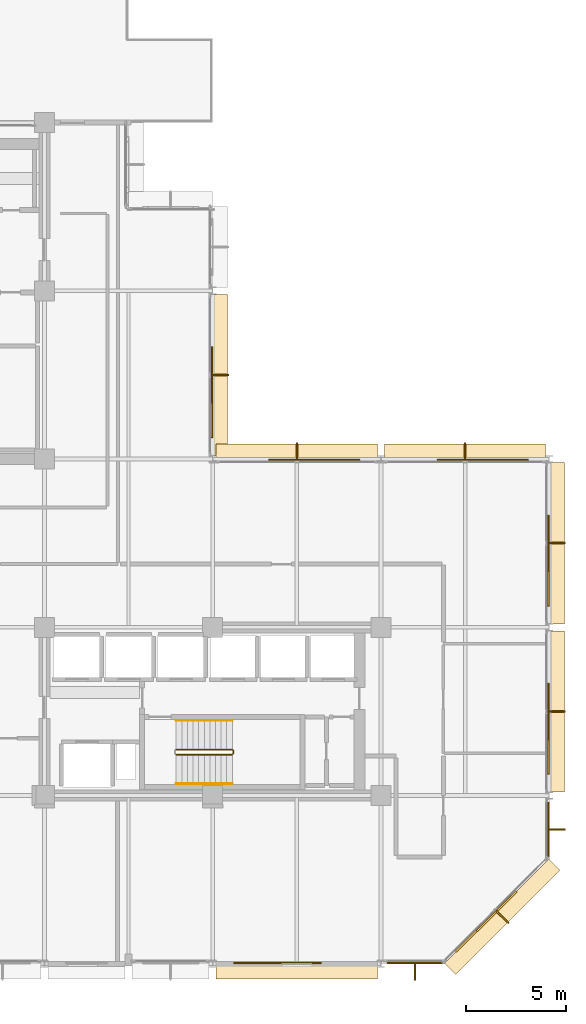
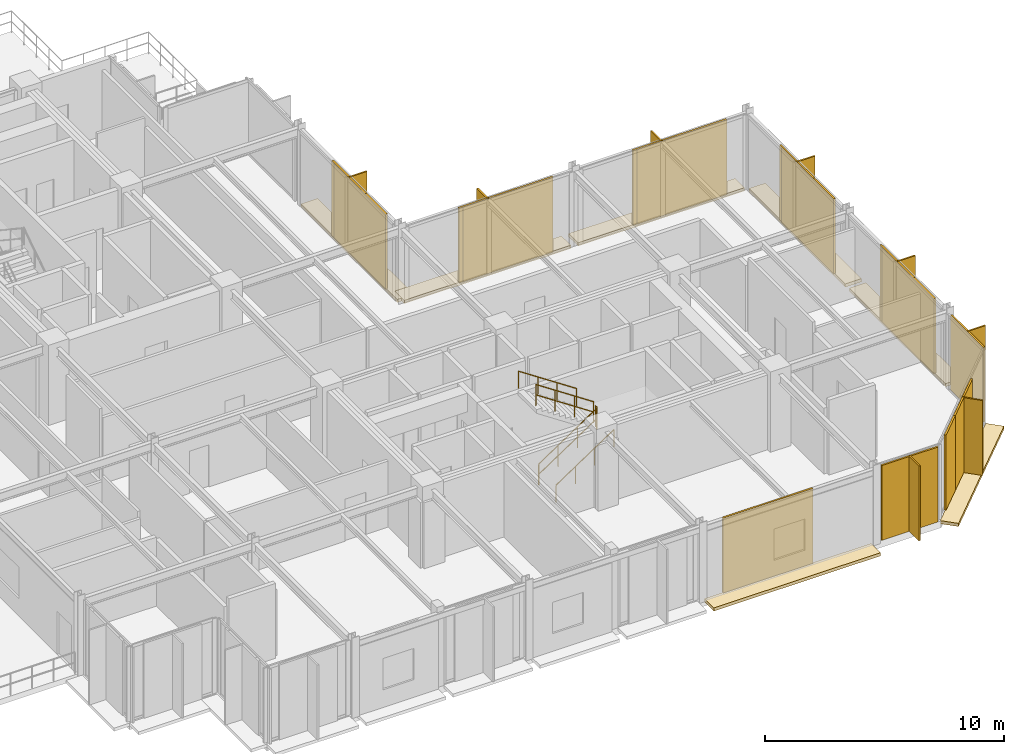
# One storey, part 20 of 21: 16 shading devices, 14 coverings, 5 railings.
"""IFC4 building model written with IfcOpenShell, lengths in metres."""

from ifc_helpers import new_model, si_unit, direction, frame, origin, origin_2d, place, context, subcontext, project, spatial, polyline, rectangle, circle, outline, extrude, material, layer, layer_set, type_object, element, save


model = new_model("IFC4")

# Units and contexts
model_context = context("Model", 3, precision=1e-05, world=origin(), true_north=direction((0.0, 1.0)))
body_context = subcontext(model_context, "Body", "Model", "MODEL_VIEW")
ifc_project = project(units=[si_unit("LENGTHUNIT", "METRE"), si_unit("AREAUNIT", "SQUARE_METRE"), si_unit("VOLUMEUNIT", "CUBIC_METRE"), si_unit("PLANEANGLEUNIT", "RADIAN"), si_unit("MASSUNIT", "GRAM", prefix="KILO")], contexts=[model_context])

# Site, building, storey
site_placement = place(None, origin())
site = spatial("IfcSite", under=ifc_project, at=site_placement, CompositionType="ELEMENT")
building_placement = place(site_placement, origin())
building = spatial("IfcBuilding", under=site, at=building_placement, Name="Nerrivon Quay Data Exchange", CompositionType="ELEMENT")
storey_placement = place(building_placement, frame((0.0, 0.0, 220.60009765625)))
storey = spatial("IfcBuildingStorey", under=building, at=storey_placement, Name="L52", CompositionType="ELEMENT", Elevation=220.60009765625)

# Coverings
ifc_material_1 = material(Name="Architectural terracotta ceramic", Category="masonry")
ifc_layer_1 = layer(ifc_material_1, 0.159912109375)
ifc_layer_set_1 = layer_set([ifc_layer_1], Name="Architectural terracotta ceramic")
covering_type_1 = type_object("IfcCoveringType", Name="COV-BLD-TERR", PredefinedType="CLADDING", material=ifc_layer_set_1)
covering_1_placement = place(storey_placement, frame((0.0, 0.0, -0.16015625)))
element("IfcCovering", 1, at=covering_1_placement, inside=storey, type_object=covering_type_1, Name="L52 Horizontal Terracotta SOLAR SCREEN Blade", PredefinedType="CLADDING", context=body_context, shape_type="SweptSolid", body=[
    extrude(outline(polyline([(41.9716796875, 5.228271484375), (36.771728515625, 0.0283203125), (37.330322265625, -0.5302734375), (42.5302734375, 4.669677734375), (41.9716796875, 5.228271484375)])), origin(), (0.0, 0.0, 1.0), 0.16015625),
])
covering_2_placement = place(storey_placement, frame((0.0, 0.0, -0.16015625)))
element("IfcCovering", 2, at=covering_2_placement, inside=storey, type_object=covering_type_1, Name="L52 Horizontal Terracotta SOLAR SCREEN Blade", PredefinedType="CLADDING", context=body_context, shape_type="SweptSolid", body=[
    extrude(outline(polyline([(33.425048828125, 0.0400390625), (25.375, 0.0400390625), (25.375, -0.75), (33.425048828125, -0.75), (33.425048828125, 0.0400390625)])), origin(), (0.0, 0.0, 1.0), 0.16015625),
])
covering_3_placement = place(storey_placement, frame((0.0, 0.0, -0.16015625)))
element("IfcCovering", 3, at=covering_3_placement, inside=storey, type_object=covering_type_1, Name="L52 Horizontal Terracotta SOLAR SCREEN Blade", PredefinedType="CLADDING", context=body_context, shape_type="SweptSolid", body=[
    extrude(outline(polyline([(25.159912109375, 33.425048828125), (25.159912109375, 25.375), (25.949951171875, 25.375), (25.949951171875, 33.425048828125), (25.159912109375, 33.425048828125)])), origin(), (0.0, 0.0, 1.0), 0.16015625),
])
covering_4_placement = place(storey_placement, frame((0.0, 0.0, -0.16015625)))
element("IfcCovering", 4, at=covering_4_placement, inside=storey, type_object=covering_type_1, Name="L52 Horizontal Terracotta SOLAR SCREEN Blade", PredefinedType="CLADDING", context=body_context, shape_type="SweptSolid", body=[
    extrude(outline(polyline([(25.375, 25.159912109375), (33.425048828125, 25.159912109375), (33.425048828125, 25.949951171875), (25.375, 25.949951171875), (25.375, 25.159912109375)])), origin(), (0.0, 0.0, 1.0), 0.16015625),
])
covering_5_placement = place(storey_placement, frame((0.0, 0.0, -0.16015625)))
element("IfcCovering", 5, at=covering_5_placement, inside=storey, type_object=covering_type_1, Name="L52 Horizontal Terracotta SOLAR SCREEN Blade", PredefinedType="CLADDING", context=body_context, shape_type="SweptSolid", body=[
    extrude(outline(polyline([(33.77490234375, 25.159912109375), (41.824951171875, 25.159912109375), (41.824951171875, 25.949951171875), (33.77490234375, 25.949951171875), (33.77490234375, 25.159912109375)])), origin(), (0.0, 0.0, 1.0), 0.16015625),
])
covering_6_placement = place(storey_placement, frame((0.0, 0.0, -0.16015625)))
element("IfcCovering", 6, at=covering_6_placement, inside=storey, type_object=covering_type_1, Name="L52 Horizontal Terracotta SOLAR SCREEN Blade", PredefinedType="CLADDING", context=body_context, shape_type="SweptSolid", body=[
    extrude(outline(polyline([(41.9599609375, 25.02490234375), (41.9599609375, 16.97509765625), (42.75, 16.97509765625), (42.75, 25.02490234375), (41.9599609375, 25.02490234375)])), origin(), (0.0, 0.0, 1.0), 0.16015625),
])
covering_7_placement = place(storey_placement, frame((0.0, 0.0, -0.16015625)))
element("IfcCovering", 7, at=covering_7_placement, inside=storey, type_object=covering_type_1, Name="L52 Horizontal Terracotta SOLAR SCREEN Blade", PredefinedType="CLADDING", context=body_context, shape_type="SweptSolid", body=[
    extrude(outline(polyline([(41.9599609375, 16.625), (41.9599609375, 8.574951171875), (42.75, 8.574951171875), (42.75, 16.625), (41.9599609375, 16.625)])), origin(), (0.0, 0.0, 1.0), 0.16015625),
])
ifc_layer_2 = layer(ifc_material_1, 0.090087890625)
ifc_layer_set_2 = layer_set([ifc_layer_2], Name="Architectural terracotta ceramic")
covering_type_2 = type_object("IfcCoveringType", Name="COV-SCR-TERR", PredefinedType="CLADDING", material=ifc_layer_set_2)
covering_8_placement = place(storey_placement, frame((38.744140625, 2.0078125, 0.0), z_axis=(0.0, 0.0, 1.0), x_axis=(-0.707106781187, -0.707106781187, 0.0)))
element("IfcCovering", 8, at=covering_8_placement, inside=storey, type_object=covering_type_2, Name="L52 Perforated Terracotta SOLAR SCREEN Cassette", PredefinedType="CLADDING", context=body_context, shape_type="SweptSolid", body=[
    extrude(rectangle(XDim=3.970947265625, YDim=0.090087890625, at=origin_2d()), origin(), (0.0, 0.0, 1.0), 3.824951171875),
])
for number, where, z_axis, x_axis, name in (
    (9, (28.43408203125, 0.044921875, 0.0), (0.0, 0.0, 1.0), (-1.0, 0.0, 0.0), "L52 Perforated Terracotta SOLAR SCREEN Cassette"),
    (10, (25.155029296875, 28.43408203125, 0.0), (0.0, 0.0, 1.0), (0.0, -1.0, 0.0), "L52 Perforated Terracotta SOLAR SCREEN Cassette"),
    (11, (30.365966796875, 25.155029296875, 0.0), (0.0, 0.0, 1.0), (1.0, 0.0, 0.0), "L52 Perforated Terracotta SOLAR SCREEN Cassette"),
    (12, (38.76611328125, 25.155029296875, 0.0), (0.0, 0.0, 1.0), (1.0, 0.0, 0.0), "L52 Perforated Terracotta SOLAR SCREEN Cassette"),
    (13, (41.955078125, 20.033935546875, 0.0), (0.0, 0.0, 1.0), (0.0, -1.0, 0.0), "L52 Perforated Terracotta SOLAR SCREEN Cassette"),
    (14, (41.955078125, 11.634033203125, 0.0), (0.0, 0.0, 1.0), (0.0, -1.0, 0.0), "L52 Perforated Terracotta SOLAR SCREEN Cassette"),
):
    element("IfcCovering", number, at=place(storey_placement, frame(where, z_axis=z_axis, x_axis=x_axis)), inside=storey, type_object=covering_type_2, Name=name, PredefinedType="CLADDING", context=body_context, shape_type="SweptSolid", body=[
        extrude(rectangle(XDim=4.346923828125, YDim=0.090087890625, at=origin_2d()), origin(), (0.0, 0.0, 1.0), 3.824951171875),
    ])

# Railings
ifc_material_2 = material(Name="Steel Grade C350L0 (350 MPa)", Category="steel")
railing_type_1 = type_object("IfcRailingType", Name="RAIL-HAND-HR1", PredefinedType="HANDRAIL", material=ifc_material_2)
railing_1_placement = place(storey_placement, frame((23.3798828125, 9.0, 0.186279296875)))
element("IfcRailing", 15, at=railing_1_placement, inside=storey, type_object=railing_type_1, Name="L52 ST02 stair handrail 1", PredefinedType="HANDRAIL", context=body_context, shape_type="SweptSolid", body=[
    extrude(circle(Radius=0.02392578125, at=origin_2d()), frame((0.0, 0.0, 0.8759765625), z_axis=(0.832485552168, 0.0, 0.554046753832), x_axis=(0.0, 1.0, 0.0)), (0.0, 0.0, 1.0), 3.363525390625),
    extrude(circle(Radius=0.02099609375, at=origin_2d()), origin(), (0.0, 0.0, 1.0), 0.851806640625),
    extrude(circle(Radius=0.02099609375, at=origin_2d()), frame((0.933349609375, 0.0, 0.62109375)), (0.0, 0.0, 1.0), 0.851806640625),
    extrude(circle(Radius=0.02099609375, at=origin_2d()), frame((1.86669921875, 0.0, 1.242431640625)), (0.0, 0.0, 1.0), 0.851806640625),
    extrude(circle(Radius=0.02099609375, at=origin_2d()), frame((2.800048828125, 0.0, 1.863525390625)), (0.0, 0.0, 1.0), 0.851806640625),
])
railing_2_placement = place(storey_placement, frame((26.179931640625, 12.14990234375, 2.236328125)))
element("IfcRailing", 16, at=railing_2_placement, inside=storey, type_object=railing_type_1, Name="L52 ST02 stair handrail 2", PredefinedType="HANDRAIL", context=body_context, shape_type="SweptSolid", body=[
    extrude(circle(Radius=0.02392578125, at=origin_2d()), frame((0.0, 0.0, 0.8759765625), z_axis=(-0.832485552168, 0.0, 0.554046753832), x_axis=(0.0, -1.0, 0.0)), (0.0, 0.0, 1.0), 3.363525390625),
    extrude(circle(Radius=0.02099609375, at=origin_2d()), origin(), (0.0, 0.0, 1.0), 0.851806640625),
    extrude(circle(Radius=0.02099609375, at=origin_2d()), frame((-0.933349609375, 0.0, 0.62109375)), (0.0, 0.0, 1.0), 0.851806640625),
    extrude(circle(Radius=0.02099609375, at=origin_2d()), frame((-1.86669921875, 0.0, 1.242431640625)), (0.0, 0.0, 1.0), 0.851806640625),
    extrude(circle(Radius=0.02099609375, at=origin_2d()), frame((-2.800048828125, 0.0, 1.863525390625)), (0.0, 0.0, 1.0), 0.851806640625),
])
railing_type_2 = type_object("IfcRailingType", Name="RAIL-STAIR-GR1", PredefinedType="BALUSTRADE", material=ifc_material_2)
railing_3_placement = place(storey_placement, frame((23.3798828125, 10.449951171875, 0.186279296875)))
element("IfcRailing", 17, at=railing_3_placement, inside=storey, type_object=railing_type_2, Name="L52 ST02 stair guard 1", PredefinedType="BALUSTRADE", context=body_context, shape_type="SweptSolid", body=[
    extrude(circle(Radius=0.02392578125, at=origin_2d()), frame((0.0, 0.0, 1.076171875), z_axis=(0.832485552168, 0.0, 0.554046753832), x_axis=(0.0, 1.0, 0.0)), (0.0, 0.0, 1.0), 3.363525390625),
    extrude(circle(Radius=0.02392578125, at=origin_2d()), frame((0.0, 0.0, 0.550048828125), z_axis=(0.832485552168, 0.0, 0.554046753832), x_axis=(0.0, 1.0, 0.0)), (0.0, 0.0, 1.0), 3.363525390625),
    extrude(circle(Radius=0.02099609375, at=origin_2d()), origin(), (0.0, 0.0, 1.0), 1.052001953125),
    extrude(circle(Radius=0.02099609375, at=origin_2d()), frame((0.933349609375, 0.0, 0.62109375)), (0.0, 0.0, 1.0), 1.052001953125),
    extrude(circle(Radius=0.02099609375, at=origin_2d()), frame((1.86669921875, 0.0, 1.242431640625)), (0.0, 0.0, 1.0), 1.052001953125),
    extrude(circle(Radius=0.02099609375, at=origin_2d()), frame((2.800048828125, 0.0, 1.863525390625)), (0.0, 0.0, 1.0), 1.052001953125),
])
railing_4_placement = place(storey_placement, frame((26.22998046875, 10.5, 2.0498046875)))
element("IfcRailing", 18, at=railing_4_placement, inside=storey, type_object=railing_type_2, Name="L52 ST02 stair guard 2", PredefinedType="BALUSTRADE", context=body_context, shape_type="SweptSolid", body=[
    extrude(circle(Radius=0.02392578125, at=origin_2d()), frame((0.0, 0.0, 1.076171875), z_axis=(0.0, 1.0, 0.0), x_axis=(-1.0, 0.0, 0.0)), (0.0, 0.0, 1.0), 0.14990234375),
    extrude(circle(Radius=0.02392578125, at=origin_2d()), frame((0.0, 0.0, 0.550048828125), z_axis=(0.0, 1.0, 0.0), x_axis=(-1.0, 0.0, 0.0)), (0.0, 0.0, 1.0), 0.14990234375),
    extrude(circle(Radius=0.02099609375, at=origin_2d()), origin(), (0.0, 0.0, 1.0), 1.052001953125),
    extrude(circle(Radius=0.02099609375, at=origin_2d()), frame((0.0, 0.14990234375, 0.0)), (0.0, 0.0, 1.0), 1.052001953125),
])
railing_5_placement = place(storey_placement, frame((26.179931640625, 10.699951171875, 2.236328125)))
element("IfcRailing", 19, at=railing_5_placement, inside=storey, type_object=railing_type_2, Name="L52 ST02 stair guard 3", PredefinedType="BALUSTRADE", context=body_context, shape_type="SweptSolid", body=[
    extrude(circle(Radius=0.02392578125, at=origin_2d()), frame((0.0, 0.0, 1.076171875), z_axis=(-0.832485552168, 0.0, 0.554046753832), x_axis=(0.0, -1.0, 0.0)), (0.0, 0.0, 1.0), 3.363525390625),
    extrude(circle(Radius=0.02392578125, at=origin_2d()), frame((0.0, 0.0, 0.550048828125), z_axis=(-0.832485552168, 0.0, 0.554046753832), x_axis=(0.0, -1.0, 0.0)), (0.0, 0.0, 1.0), 3.363525390625),
    extrude(circle(Radius=0.02099609375, at=origin_2d()), origin(), (0.0, 0.0, 1.0), 1.052001953125),
    extrude(circle(Radius=0.02099609375, at=origin_2d()), frame((-0.933349609375, 0.0, 0.62109375)), (0.0, 0.0, 1.0), 1.052001953125),
    extrude(circle(Radius=0.02099609375, at=origin_2d()), frame((-1.86669921875, 0.0, 1.242431640625)), (0.0, 0.0, 1.0), 1.052001953125),
    extrude(circle(Radius=0.02099609375, at=origin_2d()), frame((-2.800048828125, 0.0, 1.863525390625)), (0.0, 0.0, 1.0), 1.052001953125),
])

# Shading devices
ifc_layer_3 = layer(ifc_material_1, 0.074951171875)
ifc_layer_set_3 = layer_set([ifc_layer_3], Name="Architectural terracotta ceramic")
shading_device_type_1 = type_object("IfcShadingDeviceType", Name="SHD-FIN-SS02", PredefinedType="USERDEFINED", material=ifc_layer_set_3)
for number, where, z_axis, x_axis, name in (
    (20, (39.668701171875, 2.331298828125, 0.0), (0.0, 0.0, 1.0), (-0.707106781187, -0.707106781187, 0.0), "L52 Subtropical Solar Fin Blade 1"),
    (21, (35.28759765625, -0.3798828125, 0.0), (0.0, 0.0, 1.0), (-1.0, 0.0, 0.0), "L52 Subtropical Solar Fin Blade 2"),
    (22, (25.580078125, 29.39990234375, 0.0), (0.0, 0.0, 1.0), (0.0, -1.0, 0.0), "L52 Subtropical Solar Fin Blade 23"),
    (23, (29.39990234375, 25.580078125, 0.0), (0.0, 0.0, 1.0), (1.0, 0.0, 0.0), "L52 Subtropical Solar Fin Blade 24"),
    (24, (37.800048828125, 25.580078125, 0.0), (0.0, 0.0, 1.0), (1.0, 0.0, 0.0), "L52 Subtropical Solar Fin Blade 25"),
    (25, (42.3798828125, 21.0, 0.0), (0.0, 0.0, 1.0), (0.0, -1.0, 0.0), "L52 Subtropical Solar Fin Blade 26"),
    (26, (42.3798828125, 12.60009765625, 0.0), (0.0, 0.0, 1.0), (0.0, -1.0, 0.0), "L52 Subtropical Solar Fin Blade 27"),
    (27, (42.3798828125, 6.71240234375, 0.0), (0.0, 0.0, 1.0), (0.0, -1.0, 0.0), "L52 Subtropical Solar Fin Blade 28"),
):
    element("IfcShadingDevice", number, at=place(storey_placement, frame(where, z_axis=z_axis, x_axis=x_axis)), inside=storey, type_object=shading_device_type_1, Name=name, ObjectType="FIN", PredefinedType="USERDEFINED", context=body_context, shape_type="SweptSolid", body=[
        extrude(rectangle(XDim=0.074951171875, YDim=0.85009765625, at=origin_2d()), origin(), (0.0, 0.0, 1.0), 3.824951171875),
    ])
ifc_layer_4 = layer(ifc_material_1, 0.0849609375)
ifc_layer_set_4 = layer_set([ifc_layer_4], Name="Architectural terracotta ceramic")
shading_device_type_2 = type_object("IfcShadingDeviceType", Name="SHD-SCR-SS01", PredefinedType="USERDEFINED", material=ifc_layer_set_4)
shading_device_1_placement = place(storey_placement, frame((39.37158203125, 2.62841796875, 0.0), z_axis=(0.0, 0.0, 1.0), x_axis=(-0.707106781187, -0.707106781187, 0.0)))
element("IfcShadingDevice", 28, at=shading_device_1_placement, inside=storey, type_object=shading_device_type_2, Name="L52 Perforated Terracotta Solar Screen 1", ObjectType="SCREEN", PredefinedType="USERDEFINED", context=body_context, shape_type="SweptSolid", body=[
    extrude(rectangle(XDim=2.800048828125, YDim=0.0849609375, at=origin_2d()), origin(), (0.0, 0.0, 1.0), 3.824951171875),
])
shading_device_2_placement = place(storey_placement, frame((35.28759765625, 0.0400390625, 0.0), z_axis=(0.0, 0.0, 1.0), x_axis=(-1.0, 0.0, 0.0)))
element("IfcShadingDevice", 29, at=shading_device_2_placement, inside=storey, type_object=shading_device_type_2, Name="L52 Perforated Terracotta Solar Screen 2", ObjectType="SCREEN", PredefinedType="USERDEFINED", context=body_context, shape_type="SweptSolid", body=[
    extrude(rectangle(XDim=2.72509765625, YDim=0.0849609375, at=origin_2d()), origin(), (0.0, 0.0, 1.0), 3.824951171875),
])
for number, where, z_axis, x_axis, name in (
    (30, (25.159912109375, 29.39990234375, 0.0), (0.0, 0.0, 1.0), (0.0, -1.0, 0.0), "L52 Perforated Terracotta Solar Screen 23"),
    (31, (29.39990234375, 25.159912109375, 0.0), (0.0, 0.0, 1.0), (1.0, 0.0, 0.0), "L52 Perforated Terracotta Solar Screen 24"),
    (32, (37.800048828125, 25.159912109375, 0.0), (0.0, 0.0, 1.0), (1.0, 0.0, 0.0), "L52 Perforated Terracotta Solar Screen 25"),
    (33, (41.9599609375, 21.0, 0.0), (0.0, 0.0, 1.0), (0.0, -1.0, 0.0), "L52 Perforated Terracotta Solar Screen 26"),
    (34, (41.9599609375, 12.60009765625, 0.0), (0.0, 0.0, 1.0), (0.0, -1.0, 0.0), "L52 Perforated Terracotta Solar Screen 27"),
):
    element("IfcShadingDevice", number, at=place(storey_placement, frame(where, z_axis=z_axis, x_axis=x_axis)), inside=storey, type_object=shading_device_type_2, Name=name, ObjectType="SCREEN", PredefinedType="USERDEFINED", context=body_context, shape_type="SweptSolid", body=[
        extrude(rectangle(XDim=2.800048828125, YDim=0.0849609375, at=origin_2d()), origin(), (0.0, 0.0, 1.0), 3.824951171875),
    ])
shading_device_3_placement = place(storey_placement, frame((41.9599609375, 6.71240234375, 0.0), z_axis=(0.0, 0.0, 1.0), x_axis=(0.0, -1.0, 0.0)))
element("IfcShadingDevice", 35, at=shading_device_3_placement, inside=storey, type_object=shading_device_type_2, Name="L52 Perforated Terracotta Solar Screen 28", ObjectType="SCREEN", PredefinedType="USERDEFINED", context=body_context, shape_type="SweptSolid", body=[
    extrude(rectangle(XDim=2.72509765625, YDim=0.0849609375, at=origin_2d()), origin(), (0.0, 0.0, 1.0), 3.824951171875),
])

save(model, "model.ifc")
